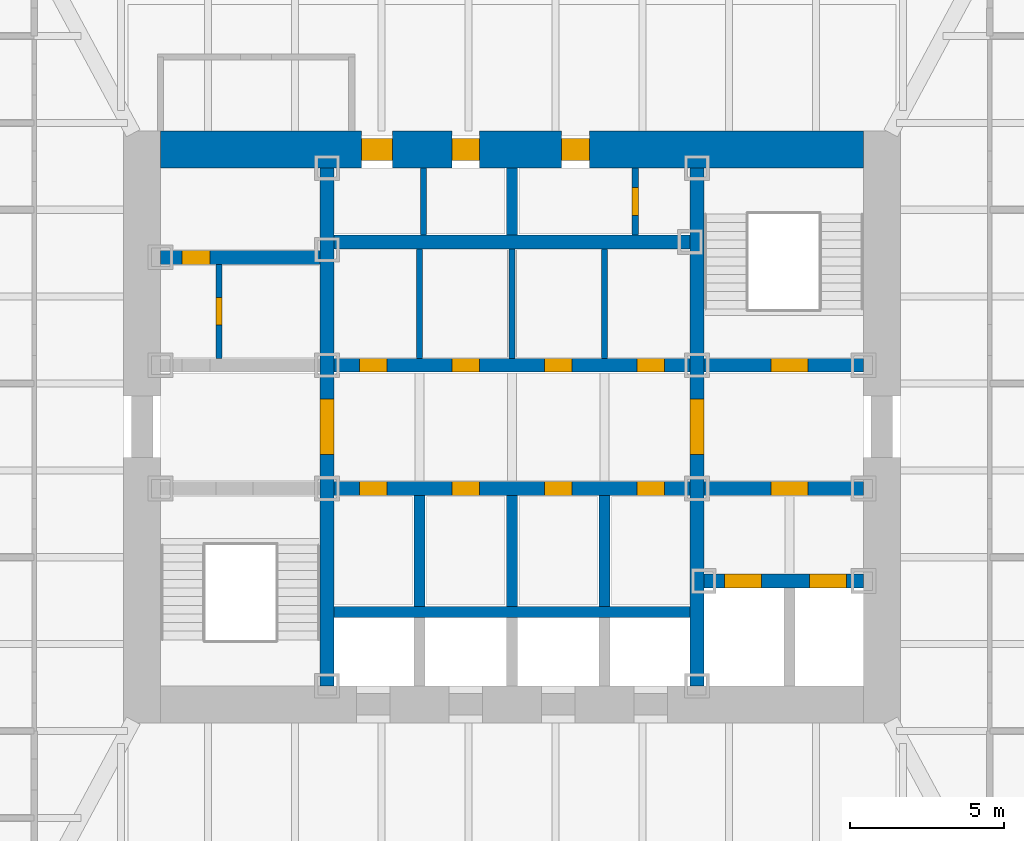
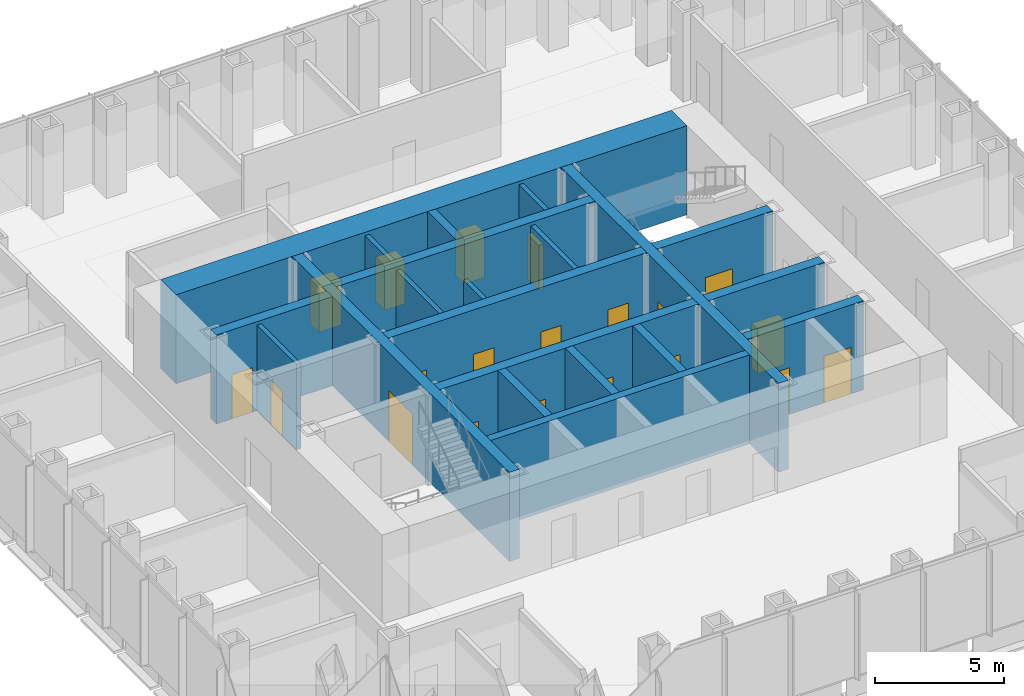
# One storey, part 9 of 17: 21 walls, 20 doors, 20 openings.
"""IFC4 building model written with IfcOpenShell, lengths in metres."""

from ifc_helpers import new_model, si_unit, direction, frame, frame_2d, origin, place, context, subcontext, project, spatial, rectangle, extrude, material, layer, layer_set, type_object, element, fill, save


model = new_model("IFC4")

# Units and contexts
model_context = context("Model", 3, precision=1e-05, world=origin(), true_north=direction((0.0, 1.0)))
body_context = subcontext(model_context, "Body", "Model", "MODEL_VIEW")
ifc_project = project(units=[si_unit("LENGTHUNIT", "METRE"), si_unit("AREAUNIT", "SQUARE_METRE"), si_unit("VOLUMEUNIT", "CUBIC_METRE"), si_unit("PLANEANGLEUNIT", "RADIAN"), si_unit("MASSUNIT", "GRAM", prefix="KILO")], contexts=[model_context])

# Site, building, storey
site_placement = place(None, origin())
site = spatial("IfcSite", under=ifc_project, at=site_placement, CompositionType="ELEMENT")
building_placement = place(site_placement, origin())
building = spatial("IfcBuilding", under=site, at=building_placement, Name="Daluyong Arena Tower", CompositionType="ELEMENT")
storey_placement = place(building_placement, frame((0.0, 0.0, 185.5)))
storey = spatial("IfcBuildingStorey", under=building, at=storey_placement, Name="L41", CompositionType="ELEMENT", Elevation=185.5)

# Wall, opening, door
ifc_material_1 = material(Name="Concrete fc' 45 MPa", Category="concrete")
ifc_layer_1 = layer(ifc_material_1, 0.449951171875)
ifc_layer_set_1 = layer_set([ifc_layer_1], Name="Concrete fc' 45 MPa")
wall_type_1 = type_object("IfcWallType", Name="Core inner wall 450", PredefinedType="SHEAR", material=ifc_layer_set_1)
wall_1_placement = place(storey_placement, frame((50.0, 71.60009765625, 0.0), z_axis=(0.0, 0.0, 1.0), x_axis=(0.0, 1.0, 0.0)))
wall_1 = element("IfcWall", 1, at=wall_1_placement, inside=storey, type_object=wall_type_1, Name="core inner wall at L41", PredefinedType="SHEAR", context=body_context, shape_type="SweptSolid", body=[
    extrude(rectangle(XDim=16.7998046875, YDim=0.449951171875, at=frame_2d((8.39990234375, 0.0))), origin(), (0.0, 0.0, 1.0), 4.199951171875),
])
opening_1_placement = place(wall_1_placement, frame((7.5, 0.0, 0.0)))
opening_1 = element("IfcOpeningElement", 2, at=opening_1_placement, cuts=wall_1, Name="Opening 41020", PredefinedType="OPENING", context=body_context, shape_type="SweptSolid", body=[
    extrude(rectangle(XDim=1.800048828125, YDim=2.39990234375, at=frame_2d((0.89990234375, 1.199951171875))), frame((0.0, 0.23486328125, 0.0), z_axis=(0.0, -1.0, 0.0), x_axis=(1.0, 0.0, 0.0)), (0.0, 0.0, 1.0), 0.469970703125),
])
ifc_material_2 = material(Name="Steel door, fire rated", Category="steel")
door_type_1 = type_object("IfcDoorType", Name="Lift lobby opening door 1800", OperationType="DOUBLE_DOOR_SINGLE_SWING", PredefinedType="DOOR", material=ifc_material_2)
door_1_placement = place(opening_1_placement, origin())
door_1 = element("IfcDoor", 3, at=door_1_placement, inside=storey, type_object=door_type_1, Name="lift lobby door west 41020", OperationType="DOUBLE_DOOR_SINGLE_SWING", OverallHeight=2.39990234375, OverallWidth=1.800048828125, PredefinedType="DOOR", context=body_context, shape_type="SweptSolid", body=[
    extrude(rectangle(XDim=1.800048828125, YDim=2.39990234375, at=frame_2d((0.89990234375, 1.199951171875))), frame((0.0, 0.224609375, 0.0), z_axis=(0.0, -1.0, 0.0), x_axis=(1.0, 0.0, 0.0)), (0.0, 0.0, 1.0), 0.449462890625),
])
fill(opening_1, door_1)

wall_2_placement = place(storey_placement, frame((62.0, 71.60009765625, 0.0), z_axis=(0.0, 0.0, 1.0), x_axis=(0.0, 1.0, 0.0)))
wall_2 = element("IfcWall", 4, at=wall_2_placement, inside=storey, type_object=wall_type_1, Name="core inner wall at L41", PredefinedType="SHEAR", context=body_context, shape_type="SweptSolid", body=[
    extrude(rectangle(XDim=16.7998046875, YDim=0.449951171875, at=frame_2d((8.39990234375, 0.0))), origin(), (0.0, 0.0, 1.0), 4.199951171875),
])
opening_2_placement = place(wall_2_placement, frame((7.5, 0.0, 0.0)))
opening_2 = element("IfcOpeningElement", 5, at=opening_2_placement, cuts=wall_2, Name="Opening 41021", PredefinedType="OPENING", context=body_context, shape_type="SweptSolid", body=[
    extrude(rectangle(XDim=1.800048828125, YDim=2.39990234375, at=frame_2d((0.89990234375, 1.199951171875))), frame((0.0, 0.23486328125, 0.0), z_axis=(0.0, -1.0, 0.0), x_axis=(1.0, 0.0, 0.0)), (0.0, 0.0, 1.0), 0.469970703125),
])
door_2_placement = place(opening_2_placement, origin())
door_2 = element("IfcDoor", 6, at=door_2_placement, inside=storey, type_object=door_type_1, Name="lift lobby door east 41021", OperationType="DOUBLE_DOOR_SINGLE_SWING", OverallHeight=2.39990234375, OverallWidth=1.800048828125, PredefinedType="DOOR", context=body_context, shape_type="SweptSolid", body=[
    extrude(rectangle(XDim=1.800048828125, YDim=2.39990234375, at=frame_2d((0.89990234375, 1.199951171875))), frame((0.0, 0.224609375, 0.0), z_axis=(0.0, -1.0, 0.0), x_axis=(1.0, 0.0, 0.0)), (0.0, 0.0, 1.0), 0.449462890625),
])
fill(opening_2, door_2)

wall_3_placement = place(storey_placement, frame((44.60009765625, 85.5, 0.0), z_axis=(0.0, 0.0, 1.0), x_axis=(1.0, 0.0, 0.0)))
wall_3 = element("IfcWall", 7, at=wall_3_placement, inside=storey, type_object=wall_type_1, Name="core inner wall at L41", PredefinedType="SHEAR", context=body_context, shape_type="SweptSolid", body=[
    extrude(rectangle(XDim=5.1748046875, YDim=0.449951171875, at=frame_2d((2.58740234375, 0.0))), origin(), (0.0, 0.0, 1.0), 4.199951171875),
])
opening_3_placement = place(wall_3_placement, frame((0.699951171875, 0.0, 0.0)))
opening_3 = element("IfcOpeningElement", 8, at=opening_3_placement, cuts=wall_3, Name="Opening 41003", PredefinedType="OPENING", context=body_context, shape_type="SweptSolid", body=[
    extrude(rectangle(XDim=0.89990234375, YDim=2.10009765625, at=frame_2d((0.449951171875, 1.050048828125))), frame((0.0, 0.23486328125, 0.0), z_axis=(0.0, -1.0, 0.0), x_axis=(1.0, 0.0, 0.0)), (0.0, 0.0, 1.0), 0.469970703125),
])
ifc_material_3 = material(Name="Timber door", Category="wood")
door_type_2 = type_object("IfcDoorType", Name="Toilet door 900", OperationType="SINGLE_SWING_RIGHT", PredefinedType="DOOR", material=ifc_material_3)
door_3_placement = place(opening_3_placement, origin())
door_3 = element("IfcDoor", 9, at=door_3_placement, inside=storey, type_object=door_type_2, Name="female toilet door 41003", OperationType="SINGLE_SWING_RIGHT", OverallHeight=2.10009765625, OverallWidth=0.89990234375, PredefinedType="DOOR", context=body_context, shape_type="SweptSolid", body=[
    extrude(rectangle(XDim=0.89990234375, YDim=2.10009765625, at=frame_2d((0.449951171875, 1.050048828125))), frame((0.0, 0.224609375, 0.0), z_axis=(0.0, -1.0, 0.0), x_axis=(1.0, 0.0, 0.0)), (0.0, 0.0, 1.0), 0.449462890625),
])
fill(opening_3, door_3)

# Wall, openings, doors
wall_4_placement = place(storey_placement, frame((62.22509765625, 75.0, 0.0), z_axis=(0.0, 0.0, 1.0), x_axis=(1.0, 0.0, 0.0)))
wall_4 = element("IfcWall", 10, at=wall_4_placement, inside=storey, type_object=wall_type_1, Name="core inner wall at L41", PredefinedType="SHEAR", context=body_context, shape_type="SweptSolid", body=[
    extrude(rectangle(XDim=5.1748046875, YDim=0.449951171875, at=frame_2d((2.58740234375, 0.0))), origin(), (0.0, 0.0, 1.0), 4.199951171875),
])
opening_4_placement = place(wall_4_placement, frame((0.675048828125, 0.0, 0.0)))
opening_4 = element("IfcOpeningElement", 11, at=opening_4_placement, cuts=wall_4, Name="Opening 41027", PredefinedType="OPENING", context=body_context, shape_type="SweptSolid", body=[
    extrude(rectangle(XDim=1.199951171875, YDim=2.199951171875, at=frame_2d((0.60009765625, 1.10009765625))), frame((0.0, 0.23486328125, 0.0), z_axis=(0.0, -1.0, 0.0), x_axis=(1.0, 0.0, 0.0)), (0.0, 0.0, 1.0), 0.469970703125),
])
opening_5_placement = place(wall_4_placement, frame((3.425048828125, 0.0, 0.0)))
opening_5 = element("IfcOpeningElement", 12, at=opening_5_placement, cuts=wall_4, Name="Opening 41028", PredefinedType="OPENING", context=body_context, shape_type="SweptSolid", body=[
    extrude(rectangle(XDim=1.199951171875, YDim=2.199951171875, at=frame_2d((0.60009765625, 1.10009765625))), frame((0.0, 0.23486328125, 0.0), z_axis=(0.0, -1.0, 0.0), x_axis=(1.0, 0.0, 0.0)), (0.0, 0.0, 1.0), 0.469970703125),
])
ifc_material_4 = material(Name="Steel door, fire rated", Category="steel")
door_type_3 = type_object("IfcDoorType", Name="Firefighting lift landing door 1200", OperationType="SLIDING_TO_LEFT", PredefinedType="DOOR", material=ifc_material_4)
door_4_placement = place(opening_4_placement, origin())
door_4 = element("IfcDoor", 13, at=door_4_placement, inside=storey, type_object=door_type_3, Name="firefighting lift landing door F1 41027", OperationType="SLIDING_TO_LEFT", OverallHeight=2.199951171875, OverallWidth=1.199951171875, PredefinedType="DOOR", context=body_context, shape_type="SweptSolid", body=[
    extrude(rectangle(XDim=1.199951171875, YDim=2.199951171875, at=frame_2d((0.60009765625, 1.10009765625))), frame((0.0, 0.224609375, 0.0), z_axis=(0.0, -1.0, 0.0), x_axis=(1.0, 0.0, 0.0)), (0.0, 0.0, 1.0), 0.449462890625),
])
fill(opening_4, door_4)
door_5_placement = place(opening_5_placement, origin())
door_5 = element("IfcDoor", 14, at=door_5_placement, inside=storey, type_object=door_type_3, Name="firefighting lift landing door F2 41028", OperationType="SLIDING_TO_LEFT", OverallHeight=2.199951171875, OverallWidth=1.199951171875, PredefinedType="DOOR", context=body_context, shape_type="SweptSolid", body=[
    extrude(rectangle(XDim=1.199951171875, YDim=2.199951171875, at=frame_2d((0.60009765625, 1.10009765625))), frame((0.0, 0.224609375, 0.0), z_axis=(0.0, -1.0, 0.0), x_axis=(1.0, 0.0, 0.0)), (0.0, 0.0, 1.0), 0.449462890625),
])
fill(opening_5, door_5)

# Wall, opening, door
wall_5_placement = place(storey_placement, frame((62.22509765625, 78.0, 0.0), z_axis=(0.0, 0.0, 1.0), x_axis=(1.0, 0.0, 0.0)))
wall_5 = element("IfcWall", 15, at=wall_5_placement, inside=storey, type_object=wall_type_1, Name="core inner wall at L41", PredefinedType="SHEAR", context=body_context, shape_type="SweptSolid", body=[
    extrude(rectangle(XDim=5.1748046875, YDim=0.449951171875, at=frame_2d((2.58740234375, 0.0))), origin(), (0.0, 0.0, 1.0), 4.199951171875),
])
opening_6_placement = place(wall_5_placement, frame((2.175048828125, 0.0, 0.0)))
opening_6 = element("IfcOpeningElement", 16, at=opening_6_placement, cuts=wall_5, Name="Opening 41022", PredefinedType="OPENING", context=body_context, shape_type="SweptSolid", body=[
    extrude(rectangle(XDim=1.199951171875, YDim=2.10009765625, at=frame_2d((0.60009765625, 1.050048828125))), frame((0.0, 0.23486328125, 0.0), z_axis=(0.0, -1.0, 0.0), x_axis=(1.0, 0.0, 0.0)), (0.0, 0.0, 1.0), 0.469970703125),
])
ifc_material_5 = material(Name="Steel door, fire rated", Category="steel")
door_type_4 = type_object("IfcDoorType", Name="Firefighting lobby door 1200", OperationType="SINGLE_SWING_RIGHT", PredefinedType="DOOR", material=ifc_material_5)
door_6_placement = place(opening_6_placement, origin())
door_6 = element("IfcDoor", 17, at=door_6_placement, inside=storey, type_object=door_type_4, Name="firefighting lobby door 41022", OperationType="SINGLE_SWING_RIGHT", OverallHeight=2.10009765625, OverallWidth=1.199951171875, PredefinedType="DOOR", context=body_context, shape_type="SweptSolid", body=[
    extrude(rectangle(XDim=1.199951171875, YDim=2.10009765625, at=frame_2d((0.60009765625, 1.050048828125))), frame((0.0, 0.224609375, 0.0), z_axis=(0.0, -1.0, 0.0), x_axis=(1.0, 0.0, 0.0)), (0.0, 0.0, 1.0), 0.449462890625),
])
fill(opening_6, door_6)

wall_6_placement = place(storey_placement, frame((62.22509765625, 82.0, 0.0), z_axis=(0.0, 0.0, 1.0), x_axis=(1.0, 0.0, 0.0)))
wall_6 = element("IfcWall", 18, at=wall_6_placement, inside=storey, type_object=wall_type_1, Name="core inner wall at L41", PredefinedType="SHEAR", context=body_context, shape_type="SweptSolid", body=[
    extrude(rectangle(XDim=5.1748046875, YDim=0.449951171875, at=frame_2d((2.58740234375, 0.0))), origin(), (0.0, 0.0, 1.0), 4.199951171875),
])
opening_7_placement = place(wall_6_placement, frame((2.175048828125, 0.0, 0.0)))
opening_7 = element("IfcOpeningElement", 19, at=opening_7_placement, cuts=wall_6, Name="Opening 41017", PredefinedType="OPENING", context=body_context, shape_type="SweptSolid", body=[
    extrude(rectangle(XDim=1.199951171875, YDim=2.10009765625, at=frame_2d((0.60009765625, 1.050048828125))), frame((0.0, 0.23486328125, 0.0), z_axis=(0.0, -1.0, 0.0), x_axis=(1.0, 0.0, 0.0)), (0.0, 0.0, 1.0), 0.469970703125),
])
ifc_material_6 = material(Name="Steel door, fire rated", Category="steel")
door_type_5 = type_object("IfcDoorType", Name="Stair door 1200", OperationType="SINGLE_SWING_LEFT", PredefinedType="DOOR", material=ifc_material_6)
door_7_placement = place(opening_7_placement, origin())
door_7 = element("IfcDoor", 20, at=door_7_placement, inside=storey, type_object=door_type_5, Name="stair B door 41017", OperationType="SINGLE_SWING_LEFT", OverallHeight=2.10009765625, OverallWidth=1.199951171875, PredefinedType="DOOR", context=body_context, shape_type="SweptSolid", body=[
    extrude(rectangle(XDim=1.199951171875, YDim=2.10009765625, at=frame_2d((0.60009765625, 1.050048828125))), frame((0.0, 0.224609375, 0.0), z_axis=(0.0, -1.0, 0.0), x_axis=(1.0, 0.0, 0.0)), (0.0, 0.0, 1.0), 0.449462890625),
])
fill(opening_7, door_7)

# Wall, openings, doors
wall_7_placement = place(storey_placement, frame((50.22509765625, 78.0, 0.0), z_axis=(0.0, 0.0, 1.0), x_axis=(1.0, 0.0, 0.0)))
wall_7 = element("IfcWall", 21, at=wall_7_placement, inside=storey, type_object=wall_type_1, Name="core inner wall at L41", PredefinedType="SHEAR", context=body_context, shape_type="SweptSolid", body=[
    extrude(rectangle(XDim=11.5498046875, YDim=0.449951171875, at=frame_2d((5.77490234375, 0.0))), origin(), (0.0, 0.0, 1.0), 4.199951171875),
])
opening_8_placement = place(wall_7_placement, frame((0.824951171875, 0.0, 0.0)))
opening_8 = element("IfcOpeningElement", 22, at=opening_8_placement, cuts=wall_7, Name="Opening 41008", PredefinedType="OPENING", context=body_context, shape_type="SweptSolid", body=[
    extrude(rectangle(XDim=0.89990234375, YDim=2.10009765625, at=frame_2d((0.449951171875, 1.050048828125))), frame((0.0, 0.23486328125, 0.0), z_axis=(0.0, -1.0, 0.0), x_axis=(1.0, 0.0, 0.0)), (0.0, 0.0, 1.0), 0.469970703125),
])
opening_9_placement = place(wall_7_placement, frame((3.824951171875, 0.0, 0.0)))
opening_9 = element("IfcOpeningElement", 23, at=opening_9_placement, cuts=wall_7, Name="Opening 41009", PredefinedType="OPENING", context=body_context, shape_type="SweptSolid", body=[
    extrude(rectangle(XDim=0.89990234375, YDim=2.10009765625, at=frame_2d((0.449951171875, 1.050048828125))), frame((0.0, 0.23486328125, 0.0), z_axis=(0.0, -1.0, 0.0), x_axis=(1.0, 0.0, 0.0)), (0.0, 0.0, 1.0), 0.469970703125),
])
opening_10_placement = place(wall_7_placement, frame((6.824951171875, 0.0, 0.0)))
opening_10 = element("IfcOpeningElement", 24, at=opening_10_placement, cuts=wall_7, Name="Opening 41010", PredefinedType="OPENING", context=body_context, shape_type="SweptSolid", body=[
    extrude(rectangle(XDim=0.89990234375, YDim=2.10009765625, at=frame_2d((0.449951171875, 1.050048828125))), frame((0.0, 0.23486328125, 0.0), z_axis=(0.0, -1.0, 0.0), x_axis=(1.0, 0.0, 0.0)), (0.0, 0.0, 1.0), 0.469970703125),
])
opening_11_placement = place(wall_7_placement, frame((9.824951171875, 0.0, 0.0)))
opening_11 = element("IfcOpeningElement", 25, at=opening_11_placement, cuts=wall_7, Name="Opening 41011", PredefinedType="OPENING", context=body_context, shape_type="SweptSolid", body=[
    extrude(rectangle(XDim=0.89990234375, YDim=2.10009765625, at=frame_2d((0.449951171875, 1.050048828125))), frame((0.0, 0.23486328125, 0.0), z_axis=(0.0, -1.0, 0.0), x_axis=(1.0, 0.0, 0.0)), (0.0, 0.0, 1.0), 0.469970703125),
])
ifc_material_7 = material(Name="Steel door, fire rated", Category="steel")
door_type_6 = type_object("IfcDoorType", Name="Core room door 900", OperationType="SINGLE_SWING_LEFT", PredefinedType="DOOR", material=ifc_material_7)
door_8_placement = place(opening_8_placement, origin())
door_8 = element("IfcDoor", 26, at=door_8_placement, inside=storey, type_object=door_type_6, Name="tea point door 41008", OperationType="SINGLE_SWING_LEFT", OverallHeight=2.10009765625, OverallWidth=0.89990234375, PredefinedType="DOOR", context=body_context, shape_type="SweptSolid", body=[
    extrude(rectangle(XDim=0.89990234375, YDim=2.10009765625, at=frame_2d((0.449951171875, 1.050048828125))), frame((0.0, 0.224609375, 0.0), z_axis=(0.0, -1.0, 0.0), x_axis=(1.0, 0.0, 0.0)), (0.0, 0.0, 1.0), 0.449462890625),
])
fill(opening_8, door_8)
door_9_placement = place(opening_11_placement, origin())
door_9 = element("IfcDoor", 27, at=door_9_placement, inside=storey, type_object=door_type_6, Name="mail room door 41011", OperationType="SINGLE_SWING_LEFT", OverallHeight=2.10009765625, OverallWidth=0.89990234375, PredefinedType="DOOR", context=body_context, shape_type="SweptSolid", body=[
    extrude(rectangle(XDim=0.89990234375, YDim=2.10009765625, at=frame_2d((0.449951171875, 1.050048828125))), frame((0.0, 0.224609375, 0.0), z_axis=(0.0, -1.0, 0.0), x_axis=(1.0, 0.0, 0.0)), (0.0, 0.0, 1.0), 0.449462890625),
])
fill(opening_11, door_9)
ifc_material_8 = material(Name="Steel door, fire rated", Category="steel")
door_type_7 = type_object("IfcDoorType", Name="Core store door 900", OperationType="SINGLE_SWING_LEFT", PredefinedType="DOOR", material=ifc_material_8)
door_10_placement = place(opening_9_placement, origin())
door_10 = element("IfcDoor", 28, at=door_10_placement, inside=storey, type_object=door_type_7, Name="furniture store door 41009", OperationType="SINGLE_SWING_LEFT", OverallHeight=2.10009765625, OverallWidth=0.89990234375, PredefinedType="DOOR", context=body_context, shape_type="SweptSolid", body=[
    extrude(rectangle(XDim=0.89990234375, YDim=2.10009765625, at=frame_2d((0.449951171875, 1.050048828125))), frame((0.0, 0.224609375, 0.0), z_axis=(0.0, -1.0, 0.0), x_axis=(1.0, 0.0, 0.0)), (0.0, 0.0, 1.0), 0.449462890625),
])
fill(opening_9, door_10)
door_11_placement = place(opening_10_placement, origin())
door_11 = element("IfcDoor", 29, at=door_11_placement, inside=storey, type_object=door_type_7, Name="tenant store door 41010", OperationType="SINGLE_SWING_LEFT", OverallHeight=2.10009765625, OverallWidth=0.89990234375, PredefinedType="DOOR", context=body_context, shape_type="SweptSolid", body=[
    extrude(rectangle(XDim=0.89990234375, YDim=2.10009765625, at=frame_2d((0.449951171875, 1.050048828125))), frame((0.0, 0.224609375, 0.0), z_axis=(0.0, -1.0, 0.0), x_axis=(1.0, 0.0, 0.0)), (0.0, 0.0, 1.0), 0.449462890625),
])
fill(opening_10, door_11)

wall_8_placement = place(storey_placement, frame((50.22509765625, 82.0, 0.0), z_axis=(0.0, 0.0, 1.0), x_axis=(1.0, 0.0, 0.0)))
wall_8 = element("IfcWall", 30, at=wall_8_placement, inside=storey, type_object=wall_type_1, Name="core inner wall at L41", PredefinedType="SHEAR", context=body_context, shape_type="SweptSolid", body=[
    extrude(rectangle(XDim=11.5498046875, YDim=0.449951171875, at=frame_2d((5.77490234375, 0.0))), origin(), (0.0, 0.0, 1.0), 4.199951171875),
])
opening_12_placement = place(wall_8_placement, frame((0.824951171875, 0.0, 0.0)))
opening_12 = element("IfcOpeningElement", 31, at=opening_12_placement, cuts=wall_8, Name="Opening 41012", PredefinedType="OPENING", context=body_context, shape_type="SweptSolid", body=[
    extrude(rectangle(XDim=0.89990234375, YDim=2.10009765625, at=frame_2d((0.449951171875, 1.050048828125))), frame((0.0, 0.23486328125, 0.0), z_axis=(0.0, -1.0, 0.0), x_axis=(1.0, 0.0, 0.0)), (0.0, 0.0, 1.0), 0.469970703125),
])
opening_13_placement = place(wall_8_placement, frame((3.824951171875, 0.0, 0.0)))
opening_13 = element("IfcOpeningElement", 32, at=opening_13_placement, cuts=wall_8, Name="Opening 41013", PredefinedType="OPENING", context=body_context, shape_type="SweptSolid", body=[
    extrude(rectangle(XDim=0.89990234375, YDim=2.10009765625, at=frame_2d((0.449951171875, 1.050048828125))), frame((0.0, 0.23486328125, 0.0), z_axis=(0.0, -1.0, 0.0), x_axis=(1.0, 0.0, 0.0)), (0.0, 0.0, 1.0), 0.469970703125),
])
opening_14_placement = place(wall_8_placement, frame((6.824951171875, 0.0, 0.0)))
opening_14 = element("IfcOpeningElement", 33, at=opening_14_placement, cuts=wall_8, Name="Opening 41014", PredefinedType="OPENING", context=body_context, shape_type="SweptSolid", body=[
    extrude(rectangle(XDim=0.89990234375, YDim=2.10009765625, at=frame_2d((0.449951171875, 1.050048828125))), frame((0.0, 0.23486328125, 0.0), z_axis=(0.0, -1.0, 0.0), x_axis=(1.0, 0.0, 0.0)), (0.0, 0.0, 1.0), 0.469970703125),
])
opening_15_placement = place(wall_8_placement, frame((9.824951171875, 0.0, 0.0)))
opening_15 = element("IfcOpeningElement", 34, at=opening_15_placement, cuts=wall_8, Name="Opening 41015", PredefinedType="OPENING", context=body_context, shape_type="SweptSolid", body=[
    extrude(rectangle(XDim=0.89990234375, YDim=2.10009765625, at=frame_2d((0.449951171875, 1.050048828125))), frame((0.0, 0.23486328125, 0.0), z_axis=(0.0, -1.0, 0.0), x_axis=(1.0, 0.0, 0.0)), (0.0, 0.0, 1.0), 0.469970703125),
])
door_12_placement = place(opening_12_placement, origin())
door_12 = element("IfcDoor", 35, at=door_12_placement, inside=storey, type_object=door_type_6, Name="print room door 41012", OperationType="SINGLE_SWING_LEFT", OverallHeight=2.10009765625, OverallWidth=0.89990234375, PredefinedType="DOOR", context=body_context, shape_type="SweptSolid", body=[
    extrude(rectangle(XDim=0.89990234375, YDim=2.10009765625, at=frame_2d((0.449951171875, 1.050048828125))), frame((0.0, 0.224609375, 0.0), z_axis=(0.0, -1.0, 0.0), x_axis=(1.0, 0.0, 0.0)), (0.0, 0.0, 1.0), 0.449462890625),
])
fill(opening_12, door_12)
door_13_placement = place(opening_14_placement, origin())
door_13 = element("IfcDoor", 36, at=door_13_placement, inside=storey, type_object=door_type_6, Name="staff pantry door 41014", OperationType="SINGLE_SWING_LEFT", OverallHeight=2.10009765625, OverallWidth=0.89990234375, PredefinedType="DOOR", context=body_context, shape_type="SweptSolid", body=[
    extrude(rectangle(XDim=0.89990234375, YDim=2.10009765625, at=frame_2d((0.449951171875, 1.050048828125))), frame((0.0, 0.224609375, 0.0), z_axis=(0.0, -1.0, 0.0), x_axis=(1.0, 0.0, 0.0)), (0.0, 0.0, 1.0), 0.449462890625),
])
fill(opening_14, door_13)
door_14_placement = place(opening_13_placement, origin())
door_14 = element("IfcDoor", 37, at=door_14_placement, inside=storey, type_object=door_type_7, Name="cleaner's store door 41013", OperationType="SINGLE_SWING_LEFT", OverallHeight=2.10009765625, OverallWidth=0.89990234375, PredefinedType="DOOR", context=body_context, shape_type="SweptSolid", body=[
    extrude(rectangle(XDim=0.89990234375, YDim=2.10009765625, at=frame_2d((0.449951171875, 1.050048828125))), frame((0.0, 0.224609375, 0.0), z_axis=(0.0, -1.0, 0.0), x_axis=(1.0, 0.0, 0.0)), (0.0, 0.0, 1.0), 0.449462890625),
])
fill(opening_13, door_14)
ifc_material_9 = material(Name="Steel door, fire rated", Category="steel")
door_type_8 = type_object("IfcDoorType", Name="Plant room door 900", OperationType="SINGLE_SWING_LEFT", PredefinedType="DOOR", material=ifc_material_9)
door_15_placement = place(opening_15_placement, origin())
door_15 = element("IfcDoor", 38, at=door_15_placement, inside=storey, type_object=door_type_8, Name="comms room door 41015", OperationType="SINGLE_SWING_LEFT", OverallHeight=2.10009765625, OverallWidth=0.89990234375, PredefinedType="DOOR", context=body_context, shape_type="SweptSolid", body=[
    extrude(rectangle(XDim=0.89990234375, YDim=2.10009765625, at=frame_2d((0.449951171875, 1.050048828125))), frame((0.0, 0.224609375, 0.0), z_axis=(0.0, -1.0, 0.0), x_axis=(1.0, 0.0, 0.0)), (0.0, 0.0, 1.0), 0.449462890625),
])
fill(opening_15, door_15)

# Wall
wall_9_placement = place(storey_placement, frame((50.22509765625, 86.0, 0.0), z_axis=(0.0, 0.0, 1.0), x_axis=(1.0, 0.0, 0.0)))
element("IfcWall", 39, at=wall_9_placement, inside=storey, type_object=wall_type_1, Name="core inner wall at L41", PredefinedType="SHEAR", context=body_context, shape_type="SweptSolid", body=[
    extrude(rectangle(XDim=11.5498046875, YDim=0.449951171875, at=frame_2d((5.77490234375, 0.0))), origin(), (0.0, 0.0, 1.0), 4.199951171875),
])

# Wall, openings, doors
ifc_material_10 = material(Name="Concrete fc' 60 MPa", Category="concrete")
ifc_layer_2 = layer(ifc_material_10, 1.199951171875)
ifc_layer_set_2 = layer_set([ifc_layer_2], Name="Concrete fc' 60 MPa")
wall_type_2 = type_object("IfcWallType", Name="Core wall 1200", PredefinedType="SHEAR", material=ifc_layer_set_2)
wall_10_placement = place(storey_placement, frame((44.60009765625, 89.0, 0.0), z_axis=(0.0, 0.0, 1.0), x_axis=(1.0, 0.0, 0.0)))
wall_10 = element("IfcWall", 40, at=wall_10_placement, inside=storey, type_object=wall_type_2, Name="core wall at L41", PredefinedType="SHEAR", context=body_context, shape_type="SweptSolid", body=[
    extrude(rectangle(XDim=22.7998046875, YDim=1.199951171875, at=frame_2d((11.39990234375, 0.0))), origin(), (0.0, 0.0, 1.0), 4.199951171875),
])
opening_16_placement = place(wall_10_placement, frame((6.52490234375, 0.0, 0.0)))
opening_16 = element("IfcOpeningElement", 41, at=opening_16_placement, cuts=wall_10, Name="Opening 41004", PredefinedType="OPENING", context=body_context, shape_type="SweptSolid", body=[
    extrude(rectangle(XDim=1.0, YDim=2.10009765625, at=frame_2d((0.5, 1.050048828125))), frame((0.0, 0.60986328125, 0.0), z_axis=(0.0, -1.0, 0.0), x_axis=(1.0, 0.0, 0.0)), (0.0, 0.0, 1.0), 1.219970703125),
])
opening_17_placement = place(wall_10_placement, frame((9.449951171875, 0.0, 0.0)))
opening_17 = element("IfcOpeningElement", 42, at=opening_17_placement, cuts=wall_10, Name="Opening 41005", PredefinedType="OPENING", context=body_context, shape_type="SweptSolid", body=[
    extrude(rectangle(XDim=0.89990234375, YDim=2.10009765625, at=frame_2d((0.449951171875, 1.050048828125))), frame((0.0, 0.60986328125, 0.0), z_axis=(0.0, -1.0, 0.0), x_axis=(1.0, 0.0, 0.0)), (0.0, 0.0, 1.0), 1.219970703125),
])
opening_18_placement = place(wall_10_placement, frame((13.012451171875, 0.0, 0.0)))
opening_18 = element("IfcOpeningElement", 43, at=opening_18_placement, cuts=wall_10, Name="Opening 41006", PredefinedType="OPENING", context=body_context, shape_type="SweptSolid", body=[
    extrude(rectangle(XDim=0.89990234375, YDim=2.10009765625, at=frame_2d((0.449951171875, 1.050048828125))), frame((0.0, 0.60986328125, 0.0), z_axis=(0.0, -1.0, 0.0), x_axis=(1.0, 0.0, 0.0)), (0.0, 0.0, 1.0), 1.219970703125),
])
ifc_material_11 = material(Name="Timber door", Category="wood")
door_type_9 = type_object("IfcDoorType", Name="Accessible toilet door 1000", OperationType="SINGLE_SWING_LEFT", PredefinedType="DOOR", material=ifc_material_11)
door_16_placement = place(opening_16_placement, origin())
door_16 = element("IfcDoor", 44, at=door_16_placement, inside=storey, type_object=door_type_9, Name="accessible toilet door 41004", OperationType="SINGLE_SWING_LEFT", OverallHeight=2.10009765625, OverallWidth=1.0, PredefinedType="DOOR", context=body_context, shape_type="SweptSolid", body=[
    extrude(rectangle(XDim=1.0, YDim=2.10009765625, at=frame_2d((0.5, 1.050048828125))), frame((0.0, 0.35009765625, 0.0), z_axis=(0.0, -1.0, 0.0), x_axis=(1.0, 0.0, 0.0)), (0.0, 0.0, 1.0), 0.699951171875),
])
fill(opening_16, door_16)
door_17_placement = place(opening_17_placement, origin())
door_17 = element("IfcDoor", 45, at=door_17_placement, inside=storey, type_object=door_type_7, Name="stationery store door 41005", OperationType="SINGLE_SWING_LEFT", OverallHeight=2.10009765625, OverallWidth=0.89990234375, PredefinedType="DOOR", context=body_context, shape_type="SweptSolid", body=[
    extrude(rectangle(XDim=0.89990234375, YDim=2.10009765625, at=frame_2d((0.449951171875, 1.050048828125))), frame((0.0, 0.35009765625, 0.0), z_axis=(0.0, -1.0, 0.0), x_axis=(1.0, 0.0, 0.0)), (0.0, 0.0, 1.0), 0.699951171875),
])
fill(opening_17, door_17)
door_18_placement = place(opening_18_placement, origin())
door_18 = element("IfcDoor", 46, at=door_18_placement, inside=storey, type_object=door_type_7, Name="facilities store door 41006", OperationType="SINGLE_SWING_LEFT", OverallHeight=2.10009765625, OverallWidth=0.89990234375, PredefinedType="DOOR", context=body_context, shape_type="SweptSolid", body=[
    extrude(rectangle(XDim=0.89990234375, YDim=2.10009765625, at=frame_2d((0.449951171875, 1.050048828125))), frame((0.0, 0.35009765625, 0.0), z_axis=(0.0, -1.0, 0.0), x_axis=(1.0, 0.0, 0.0)), (0.0, 0.0, 1.0), 0.699951171875),
])
fill(opening_18, door_18)

# Wall, opening, door
ifc_material_12 = material(Name="Concrete block partition, fire rated", Category="concrete")
ifc_layer_3 = layer(ifc_material_12, 0.199951171875)
ifc_layer_set_3 = layer_set([ifc_layer_3], Name="Concrete block partition, fire rated")
wall_type_3 = type_object("IfcWallType", Name="Fire-rated partition 200", PredefinedType="PARTITIONING", material=ifc_layer_set_3)
wall_11_placement = place(storey_placement, frame((46.5, 82.22509765625, 0.0), z_axis=(0.0, 0.0, 1.0), x_axis=(0.0, 1.0, 0.0)))
wall_11 = element("IfcWall", 47, at=wall_11_placement, inside=storey, type_object=wall_type_3, Name="toilet lobby partition at L41", PredefinedType="PARTITIONING", context=body_context, shape_type="SweptSolid", body=[
    extrude(rectangle(XDim=3.0498046875, YDim=0.199951171875, at=frame_2d((1.52490234375, 0.0))), origin(), (0.0, 0.0, 1.0), 4.0400390625),
])
opening_19_placement = place(wall_11_placement, frame((1.074951171875, 0.0, 0.0)))
opening_19 = element("IfcOpeningElement", 48, at=opening_19_placement, cuts=wall_11, Name="Opening 41002", PredefinedType="OPENING", context=body_context, shape_type="SweptSolid", body=[
    extrude(rectangle(XDim=0.89990234375, YDim=2.10009765625, at=frame_2d((0.449951171875, 1.050048828125))), frame((0.0, 0.10986328125, 0.0), z_axis=(0.0, -1.0, 0.0), x_axis=(1.0, 0.0, 0.0)), (0.0, 0.0, 1.0), 0.219970703125),
])
door_19_placement = place(opening_19_placement, origin())
door_19 = element("IfcDoor", 49, at=door_19_placement, inside=storey, type_object=door_type_2, Name="male toilet door 41002", OperationType="SINGLE_SWING_RIGHT", OverallHeight=2.10009765625, OverallWidth=0.89990234375, PredefinedType="DOOR", context=body_context, shape_type="SweptSolid", body=[
    extrude(rectangle(XDim=0.89990234375, YDim=2.10009765625, at=frame_2d((0.449951171875, 1.050048828125))), frame((0.0, 0.099609375, 0.0), z_axis=(0.0, -1.0, 0.0), x_axis=(1.0, 0.0, 0.0)), (0.0, 0.0, 1.0), 0.199462890625),
])
fill(opening_19, door_19)

# Wall
wall_12_placement = place(storey_placement, frame((53.125, 86.22509765625, 0.0), z_axis=(0.0, 0.0, 1.0), x_axis=(0.0, 1.0, 0.0)))
element("IfcWall", 50, at=wall_12_placement, inside=storey, type_object=wall_type_3, Name="core room partition at L41", PredefinedType="PARTITIONING", context=body_context, shape_type="SweptSolid", body=[
    extrude(rectangle(XDim=2.1748046875, YDim=0.199951171875, at=frame_2d((1.08740234375, 0.0))), origin(), (0.0, 0.0, 1.0), 4.0400390625),
])

# Wall, opening, door
wall_13_placement = place(storey_placement, frame((60.0, 86.22509765625, 0.0), z_axis=(0.0, 0.0, 1.0), x_axis=(0.0, 1.0, 0.0)))
wall_13 = element("IfcWall", 51, at=wall_13_placement, inside=storey, type_object=wall_type_3, Name="electrical riser enclosure at L41", PredefinedType="PARTITIONING", context=body_context, shape_type="SweptSolid", body=[
    extrude(rectangle(XDim=2.1748046875, YDim=0.199951171875, at=frame_2d((1.08740234375, 0.0))), origin(), (0.0, 0.0, 1.0), 4.0400390625),
])
opening_20_placement = place(wall_13_placement, frame((0.637451171875, 0.0, 0.0)))
opening_20 = element("IfcOpeningElement", 52, at=opening_20_placement, cuts=wall_13, Name="Opening 41007", PredefinedType="OPENING", context=body_context, shape_type="SweptSolid", body=[
    extrude(rectangle(XDim=0.89990234375, YDim=2.10009765625, at=frame_2d((0.449951171875, 1.050048828125))), frame((0.0, 0.10986328125, 0.0), z_axis=(0.0, -1.0, 0.0), x_axis=(1.0, 0.0, 0.0)), (0.0, 0.0, 1.0), 0.219970703125),
])
ifc_material_13 = material(Name="Steel door, fire rated", Category="steel")
door_type_10 = type_object("IfcDoorType", Name="Riser door 900", OperationType="SINGLE_SWING_LEFT", PredefinedType="DOOR", material=ifc_material_13)
door_20_placement = place(opening_20_placement, origin())
door_20 = element("IfcDoor", 53, at=door_20_placement, inside=storey, type_object=door_type_10, Name="riser door 41007", OperationType="SINGLE_SWING_LEFT", OverallHeight=2.10009765625, OverallWidth=0.89990234375, PredefinedType="DOOR", context=body_context, shape_type="SweptSolid", body=[
    extrude(rectangle(XDim=0.89990234375, YDim=2.10009765625, at=frame_2d((0.449951171875, 1.050048828125))), frame((0.0, 0.099609375, 0.0), z_axis=(0.0, -1.0, 0.0), x_axis=(1.0, 0.0, 0.0)), (0.0, 0.0, 1.0), 0.199462890625),
])
fill(opening_20, door_20)

# Walls
wall_14_placement = place(storey_placement, frame((53.0, 82.22509765625, 0.0), z_axis=(0.0, 0.0, 1.0), x_axis=(0.0, 1.0, 0.0)))
element("IfcWall", 54, at=wall_14_placement, inside=storey, type_object=wall_type_3, Name="core room partition at L41", PredefinedType="PARTITIONING", context=body_context, shape_type="SweptSolid", body=[
    extrude(rectangle(XDim=3.5498046875, YDim=0.199951171875, at=frame_2d((1.77490234375, 0.0))), origin(), (0.0, 0.0, 1.0), 4.0400390625),
])
wall_15_placement = place(storey_placement, frame((56.0, 82.22509765625, 0.0), z_axis=(0.0, 0.0, 1.0), x_axis=(0.0, 1.0, 0.0)))
element("IfcWall", 55, at=wall_15_placement, inside=storey, type_object=wall_type_3, Name="core room partition at L41", PredefinedType="PARTITIONING", context=body_context, shape_type="SweptSolid", body=[
    extrude(rectangle(XDim=3.5498046875, YDim=0.199951171875, at=frame_2d((1.77490234375, 0.0))), origin(), (0.0, 0.0, 1.0), 2.5400390625),
])
wall_16_placement = place(storey_placement, frame((59.0, 82.22509765625, 0.0), z_axis=(0.0, 0.0, 1.0), x_axis=(0.0, 1.0, 0.0)))
element("IfcWall", 56, at=wall_16_placement, inside=storey, type_object=wall_type_3, Name="core room partition at L41", PredefinedType="PARTITIONING", context=body_context, shape_type="SweptSolid", body=[
    extrude(rectangle(XDim=3.5498046875, YDim=0.199951171875, at=frame_2d((1.77490234375, 0.0))), origin(), (0.0, 0.0, 1.0), 4.0400390625),
])
ifc_material_14 = material(Name="Concrete fc' 45 MPa", Category="concrete")
ifc_layer_4 = layer(ifc_material_14, 0.35009765625)
ifc_layer_set_4 = layer_set([ifc_layer_4], Name="Concrete fc' 45 MPa")
wall_type_4 = type_object("IfcWallType", Name="Lift shaft wall 350", PredefinedType="SHEAR", material=ifc_layer_set_4)
wall_17_placement = place(storey_placement, frame((50.22509765625, 74.0, 0.0), z_axis=(0.0, 0.0, 1.0), x_axis=(1.0, 0.0, 0.0)))
element("IfcWall", 57, at=wall_17_placement, inside=storey, type_object=wall_type_4, Name="lift shaft wall at L41", PredefinedType="SHEAR", context=body_context, shape_type="SweptSolid", body=[
    extrude(rectangle(XDim=11.5498046875, YDim=0.35009765625, at=frame_2d((5.77490234375, 0.0))), origin(), (0.0, 0.0, 1.0), 4.199951171875),
])
for number, where, z_axis, x_axis, name in (
    (58, (53.0, 74.175048828125, 0.0), (0.0, 0.0, 1.0), (0.0, 1.0, 0.0), "lift shaft wall at L41"),
    (59, (56.0, 74.175048828125, 0.0), (0.0, 0.0, 1.0), (0.0, 1.0, 0.0), "lift shaft wall at L41"),
    (60, (59.0, 74.175048828125, 0.0), (0.0, 0.0, 1.0), (0.0, 1.0, 0.0), "lift shaft wall at L41"),
):
    element("IfcWall", number, at=place(storey_placement, frame(where, z_axis=z_axis, x_axis=x_axis)), inside=storey, type_object=wall_type_4, Name=name, PredefinedType="SHEAR", context=body_context, shape_type="SweptSolid", body=[
        extrude(rectangle(XDim=3.599853515625, YDim=0.35009765625, at=frame_2d((1.7998046875, 0.0))), origin(), (0.0, 0.0, 1.0), 4.199951171875),
    ])
wall_18_placement = place(storey_placement, frame((56.0, 86.22509765625, 0.0), z_axis=(0.0, 0.0, 1.0), x_axis=(0.0, 1.0, 0.0)))
element("IfcWall", 61, at=wall_18_placement, inside=storey, type_object=wall_type_4, Name="lift shaft wall at L41", PredefinedType="SHEAR", context=body_context, shape_type="SweptSolid", body=[
    extrude(rectangle(XDim=2.1748046875, YDim=0.35009765625, at=frame_2d((1.08740234375, 0.0))), origin(), (0.0, 0.0, 1.0), 4.199951171875),
])

save(model, "model.ifc")
